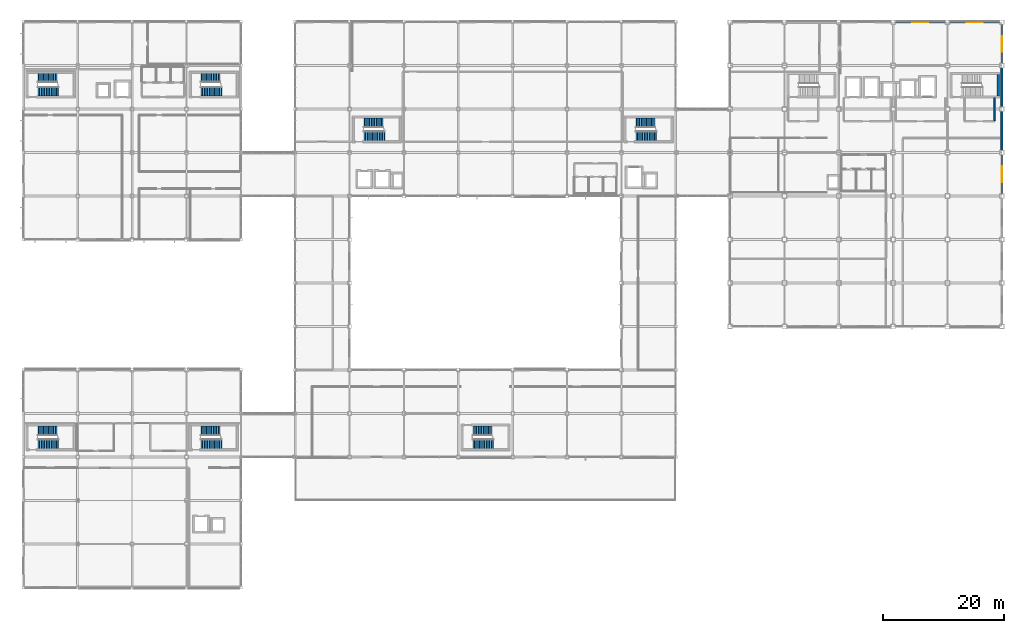
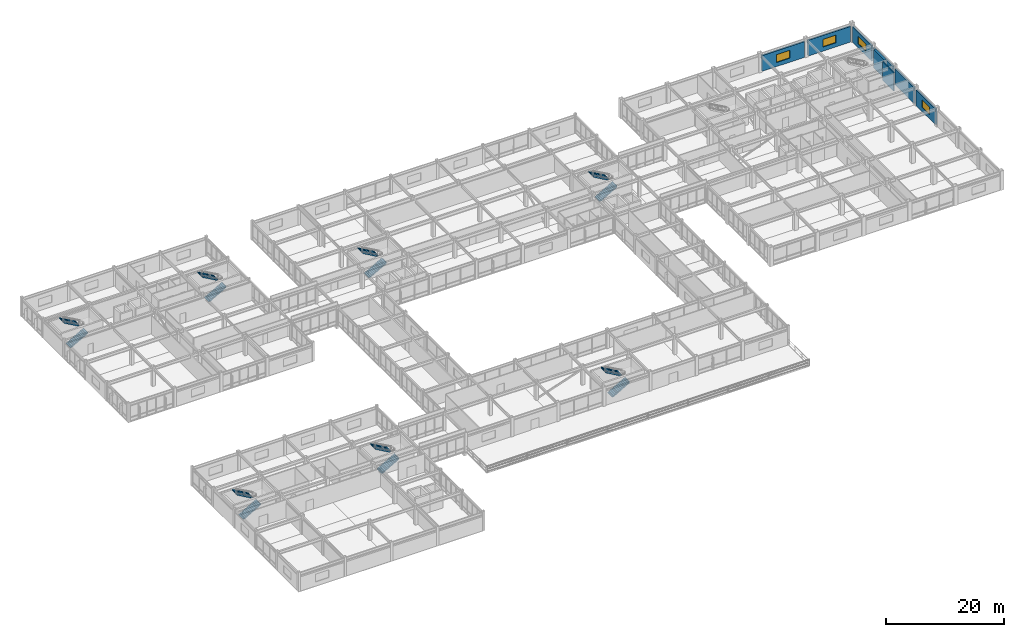
# One storey, part 106 of 122: 14 stair flights, 8 walls, 4 windows, 4 openings, 7 elements without a shape of their own.
"""IFC4 building model written with IfcOpenShell, lengths in metres."""

from ifc_helpers import new_model, si_unit, direction, frame, frame_2d, origin, place, context, subcontext, project, spatial, polyline, rectangle, outline, extrude, material, layer, layer_set, type_object, element, fill, aggregate, save


model = new_model("IFC4")

# Units and contexts
model_context = context("Model", 3, precision=1e-05, world=origin(), true_north=direction((0.0, 1.0)))
body_context = subcontext(model_context, "Body", "Model", "MODEL_VIEW")
ifc_project = project(units=[si_unit("LENGTHUNIT", "METRE"), si_unit("AREAUNIT", "SQUARE_METRE"), si_unit("VOLUMEUNIT", "CUBIC_METRE"), si_unit("PLANEANGLEUNIT", "RADIAN"), si_unit("MASSUNIT", "GRAM", prefix="KILO")], contexts=[model_context])

# Site, building, storey
site_placement = place(None, origin())
site = spatial("IfcSite", under=ifc_project, at=site_placement, CompositionType="ELEMENT")
building_placement = place(site_placement, origin())
building = spatial("IfcBuilding", under=site, at=building_placement, Name="Kazanami Central Library", CompositionType="ELEMENT")
storey_placement = place(building_placement, frame((0.0, 0.0, 4.800048828125)))
storey = spatial("IfcBuildingStorey", under=building, at=storey_placement, Name="L02", CompositionType="ELEMENT", Elevation=4.800048828125)

# Wall, opening, window
ifc_material_1 = material(Name="Concrete Fc36 (36 MPa)", Category="concrete")
ifc_layer_1 = layer(ifc_material_1, 0.219970703125, Name="Concrete Fc36 (36 MPa)")
ifc_material_2 = material(Name="Extruded Polystyrene XPS", Category="earth")
ifc_layer_2 = layer(ifc_material_2, 0.050048828125, Name="Extruded Polystyrene XPS")
ifc_material_3 = material(Name="Honed Inada Granite", Category="masonry")
ifc_layer_3 = layer(ifc_material_3, 0.030029296875, Name="Honed Inada Granite")
ifc_layer_set_1 = layer_set([ifc_layer_1, ifc_layer_2, ifc_layer_3], Name="Concrete Fc36 (36 MPa)")
wall_type_1 = type_object("IfcWallType", Name="WAL-EW-300", PredefinedType="STANDARD", material=ifc_layer_set_1)
wall_1_placement = place(storey_placement, frame((162.0, 71.64990234375, 0.0), z_axis=(0.0, 0.0, 1.0), x_axis=(0.0, -1.0, 0.0)))
wall_1 = element("IfcWall", 1, at=wall_1_placement, inside=storey, type_object=wall_type_1, Name="Exterior Facade Wall EW-300 L02 E-19-09", PredefinedType="STANDARD", context=body_context, shape_type="SweptSolid", body=[
    extrude(rectangle(XDim=6.5, YDim=0.300048828125, at=frame_2d((3.25, 0.0))), origin(), (0.0, 0.0, 1.0), 3.2548828125),
])
opening_1_placement = place(wall_1_placement, frame((1.949951171875, 0.0, 0.85009765625)))
opening_1 = element("IfcOpeningElement", 2, at=opening_1_placement, cuts=wall_1, Name="Opening WN-13", PredefinedType="OPENING", context=body_context, shape_type="SweptSolid", body=[
    extrude(rectangle(XDim=2.60009765625, YDim=1.60009765625, at=frame_2d((1.300048828125, 0.800048828125))), frame((0.0, 0.162109375, 0.0), z_axis=(0.0, -1.0, 0.0), x_axis=(1.0, 0.0, 0.0)), (0.0, 0.0, 1.0), 0.323974609375),
])
ifc_material_4 = material(Name="Low-E Insulated Triple Glass", Category="glass")
window_type = type_object("IfcWindowType", Name="WIN-WN-13", PartitioningType="DOUBLE_PANEL_VERTICAL", PredefinedType="WINDOW", material=ifc_material_4)
window_1_placement = place(opening_1_placement, origin())
window_1 = element("IfcWindow", 3, at=window_1_placement, inside=storey, type_object=window_type, Name="Facade Window WN-13 L02 E-19-09", OverallHeight=1.60009765625, OverallWidth=2.60009765625, PartitioningType="DOUBLE_PANEL_VERTICAL", PredefinedType="WINDOW", context=body_context, shape_type="SweptSolid", body=[
    extrude(rectangle(XDim=2.60009765625, YDim=1.60009765625, at=frame_2d((1.300048828125, 0.800048828125))), frame((0.0, 0.030029296875, 0.0), z_axis=(0.0, -1.0, 0.0), x_axis=(1.0, 0.0, 0.0)), (0.0, 0.0, 1.0), 0.06005859375),
])
fill(opening_1, window_1)

# Walls
for number, where, z_axis, x_axis, name in (
    (4, (162.0, 78.85009765625, 0.0), (0.0, 0.0, 1.0), (0.0, -1.0, 0.0), "Exterior Facade Wall EW-300 L02 E-19-10"),
    (5, (162.0, 86.050048828125, 0.0), (0.0, 0.0, 1.0), (0.0, -1.0, 0.0), "Exterior Facade Wall EW-300 L02 E-19-11"),
):
    element("IfcWall", number, at=place(storey_placement, frame(where, z_axis=z_axis, x_axis=x_axis)), inside=storey, type_object=wall_type_1, Name=name, PredefinedType="STANDARD", context=body_context, shape_type="SweptSolid", body=[
        extrude(rectangle(XDim=6.5, YDim=0.300048828125, at=frame_2d((3.25, 0.0))), origin(), (0.0, 0.0, 1.0), 3.2548828125),
    ])

# Wall, opening, window
wall_2_placement = place(storey_placement, frame((162.0, 93.25, 0.0), z_axis=(0.0, 0.0, 1.0), x_axis=(0.0, -1.0, 0.0)))
wall_2 = element("IfcWall", 6, at=wall_2_placement, inside=storey, type_object=wall_type_1, Name="Exterior Facade Wall EW-300 L02 E-19-12", PredefinedType="STANDARD", context=body_context, shape_type="SweptSolid", body=[
    extrude(rectangle(XDim=6.5, YDim=0.300048828125, at=frame_2d((3.25, 0.0))), origin(), (0.0, 0.0, 1.0), 3.2548828125),
])
opening_2_placement = place(wall_2_placement, frame((1.949951171875, 0.0, 0.85009765625)))
opening_2 = element("IfcOpeningElement", 7, at=opening_2_placement, cuts=wall_2, Name="Opening WN-13", PredefinedType="OPENING", context=body_context, shape_type="SweptSolid", body=[
    extrude(rectangle(XDim=2.60009765625, YDim=1.60009765625, at=frame_2d((1.300048828125, 0.800048828125))), frame((0.0, 0.162109375, 0.0), z_axis=(0.0, -1.0, 0.0), x_axis=(1.0, 0.0, 0.0)), (0.0, 0.0, 1.0), 0.323974609375),
])
window_2_placement = place(opening_2_placement, origin())
window_2 = element("IfcWindow", 8, at=window_2_placement, inside=storey, type_object=window_type, Name="Facade Window WN-13 L02 E-19-12", OverallHeight=1.60009765625, OverallWidth=2.60009765625, PartitioningType="DOUBLE_PANEL_VERTICAL", PredefinedType="WINDOW", context=body_context, shape_type="SweptSolid", body=[
    extrude(rectangle(XDim=2.60009765625, YDim=1.60009765625, at=frame_2d((1.300048828125, 0.800048828125))), frame((0.0, 0.030029296875, 0.0), z_axis=(0.0, -1.0, 0.0), x_axis=(1.0, 0.0, 0.0)), (0.0, 0.0, 1.0), 0.06005859375),
])
fill(opening_2, window_2)

ifc_layer_4 = layer(ifc_material_1, 0.239990234375, Name="Concrete Fc36 (36 MPa)")
ifc_layer_5 = layer(ifc_material_2, 0.050048828125, Name="Extruded Polystyrene XPS")
ifc_layer_6 = layer(ifc_material_3, 0.030029296875, Name="Honed Inada Granite")
ifc_layer_set_2 = layer_set([ifc_layer_4, ifc_layer_5, ifc_layer_6], Name="Concrete Fc36 (36 MPa)")
wall_type_2 = type_object("IfcWallType", Name="WAL-EW-320", PredefinedType="STANDARD", material=ifc_layer_set_2)
wall_3_placement = place(storey_placement, frame((152.64990234375, 93.60009765625, 0.0), z_axis=(0.0, 0.0, 1.0), x_axis=(-1.0, 0.0, 0.0)))
wall_3 = element("IfcWall", 9, at=wall_3_placement, inside=storey, type_object=wall_type_2, Name="Exterior Facade Wall EW-320 L02 N-O-16", PredefinedType="STANDARD", context=body_context, shape_type="SweptSolid", body=[
    extrude(rectangle(XDim=8.2998046875, YDim=0.320068359375, at=frame_2d((4.14990234375, 0.0))), origin(), (0.0, 0.0, 1.0), 3.2548828125),
])
opening_3_placement = place(wall_3_placement, frame((2.85009765625, 0.0, 0.85009765625)))
opening_3 = element("IfcOpeningElement", 10, at=opening_3_placement, cuts=wall_3, Name="Opening WN-13", PredefinedType="OPENING", context=body_context, shape_type="SweptSolid", body=[
    extrude(rectangle(XDim=2.60009765625, YDim=1.60009765625, at=frame_2d((1.300048828125, 0.800048828125))), frame((0.0, 0.171875, 0.0), z_axis=(0.0, -1.0, 0.0), x_axis=(1.0, 0.0, 0.0)), (0.0, 0.0, 1.0), 0.343994140625),
])
window_3_placement = place(opening_3_placement, origin())
window_3 = element("IfcWindow", 11, at=window_3_placement, inside=storey, type_object=window_type, Name="Facade Window WN-13 L02 N-O-16", OverallHeight=1.60009765625, OverallWidth=2.60009765625, PartitioningType="DOUBLE_PANEL_VERTICAL", PredefinedType="WINDOW", context=body_context, shape_type="SweptSolid", body=[
    extrude(rectangle(XDim=2.60009765625, YDim=1.60009765625, at=frame_2d((1.300048828125, 0.800048828125))), frame((0.0, 0.030029296875, 0.0), z_axis=(0.0, -1.0, 0.0), x_axis=(1.0, 0.0, 0.0)), (0.0, 0.0, 1.0), 0.06005859375),
])
fill(opening_3, window_3)

wall_4_placement = place(storey_placement, frame((161.64990234375, 93.60009765625, 0.0), z_axis=(0.0, 0.0, 1.0), x_axis=(-1.0, 0.0, 0.0)))
wall_4 = element("IfcWall", 12, at=wall_4_placement, inside=storey, type_object=wall_type_2, Name="Exterior Facade Wall EW-320 L02 N-O-17", PredefinedType="STANDARD", context=body_context, shape_type="SweptSolid", body=[
    extrude(rectangle(XDim=8.2998046875, YDim=0.320068359375, at=frame_2d((4.14990234375, 0.0))), origin(), (0.0, 0.0, 1.0), 3.2548828125),
])
opening_4_placement = place(wall_4_placement, frame((2.85009765625, 0.0, 0.85009765625)))
opening_4 = element("IfcOpeningElement", 13, at=opening_4_placement, cuts=wall_4, Name="Opening WN-13", PredefinedType="OPENING", context=body_context, shape_type="SweptSolid", body=[
    extrude(rectangle(XDim=2.60009765625, YDim=1.60009765625, at=frame_2d((1.300048828125, 0.800048828125))), frame((0.0, 0.171875, 0.0), z_axis=(0.0, -1.0, 0.0), x_axis=(1.0, 0.0, 0.0)), (0.0, 0.0, 1.0), 0.343994140625),
])
window_4_placement = place(opening_4_placement, origin())
window_4 = element("IfcWindow", 14, at=window_4_placement, inside=storey, type_object=window_type, Name="Facade Window WN-13 L02 N-O-17", OverallHeight=1.60009765625, OverallWidth=2.60009765625, PartitioningType="DOUBLE_PANEL_VERTICAL", PredefinedType="WINDOW", context=body_context, shape_type="SweptSolid", body=[
    extrude(rectangle(XDim=2.60009765625, YDim=1.60009765625, at=frame_2d((1.300048828125, 0.800048828125))), frame((0.0, 0.030029296875, 0.0), z_axis=(0.0, -1.0, 0.0), x_axis=(1.0, 0.0, 0.0)), (0.0, 0.0, 1.0), 0.06005859375),
])
fill(opening_4, window_4)

# Walls
ifc_material_5 = material(Name="Fire-Resistant Gypsum Board GB-F", Category="gypsum")
ifc_layer_7 = layer(ifc_material_5, 0.219970703125, Name="Fire-Resistant Gypsum Board GB-F")
ifc_layer_set_3 = layer_set([ifc_layer_7], Name="Fire-Resistant Gypsum Board GB-F")
wall_type_3 = type_object("IfcWallType", Name="WAL-FW-220", PredefinedType="PARTITIONING", material=ifc_layer_set_3)
wall_5_placement = place(storey_placement, frame((160.800048828125, 77.2900390625, 0.0), z_axis=(0.0, 0.0, 1.0), x_axis=(0.0, 1.0, 0.0)))
element("IfcWall", 15, at=wall_5_placement, inside=storey, type_object=wall_type_3, Name="Interior Partition FW-220 L02 VEST-ST-02 (East)", PredefinedType="PARTITIONING", context=body_context, shape_type="SweptSolid", body=[
    extrude(rectangle(XDim=3.820068359375, YDim=0.219970703125, at=frame_2d((1.91015625, 0.0))), origin(), (0.0, 0.0, 1.0), 3.7548828125),
])
ifc_layer_8 = layer(ifc_material_1, 0.35009765625, Name="Concrete Fc36 (36 MPa)")
ifc_layer_set_4 = layer_set([ifc_layer_8], Name="Concrete Fc36 (36 MPa)")
wall_type_4 = type_object("IfcWallType", Name="WAL-SW-350", PredefinedType="SHEAR", material=ifc_layer_set_4)
wall_6_placement = place(storey_placement, frame((161.39990234375, 81.375, 0.0), z_axis=(0.0, 0.0, 1.0), x_axis=(0.0, 1.0, 0.0)))
element("IfcWall", 16, at=wall_6_placement, inside=storey, type_object=wall_type_4, Name="Stair Core Wall ST-02 East L02", PredefinedType="SHEAR", context=body_context, shape_type="SweptSolid", body=[
    extrude(rectangle(XDim=3.550048828125, YDim=0.35009765625, at=frame_2d((1.77490234375, 0.0))), origin(), (0.0, 0.0, 1.0), 3.7548828125),
])

# Stair, stair flights
stair_type_1 = type_object("IfcStairType", Name="STR-P40", PredefinedType="HALF_TURN_STAIR", material=ifc_material_1)
stair_1_placement = place(storey_placement, origin())
stair_1 = element("IfcStair", 17, at=stair_1_placement, inside=storey, type_object=stair_type_1, Name="Enclosed Escape Stair ST-03 (L02)", PredefinedType="HALF_TURN_STAIR")
stair_flight_type_1 = type_object("IfcStairFlightType", Name="FLT-STR-P40", PredefinedType="STRAIGHT", material=ifc_material_1)
stair_flight_1_placement = place(storey_placement, frame((56.39404296875, 74.75, 0.0), z_axis=(0.0, 0.0, 1.0), x_axis=(1.0, 0.0, 0.0)))
stair_flight_1 = element("IfcStairFlight", 18, at=stair_flight_1_placement, type_object=stair_flight_type_1, Name="ST-03 flight 1", NumberOfRisers=13, NumberOfTreads=12, PredefinedType="STRAIGHT", RiserHeight=0.16, TreadLength=0.28, context=body_context, shape_type="SweptSolid", body=[
    extrude(outline(polyline([(0.0, 0.0), (0.0, 0.159912109375), (0.280029296875, 0.159912109375), (0.280029296875, 0.320068359375), (0.56005859375, 0.320068359375), (0.56005859375, 0.47998046875), (0.840087890625, 0.47998046875), (0.840087890625, 0.639892578125), (1.1201171875, 0.639892578125), (1.1201171875, 0.800048828125), (1.39990234375, 0.800048828125), (1.39990234375, 0.9599609375), (1.679931640625, 0.9599609375), (1.679931640625, 1.1201171875), (1.9599609375, 1.1201171875), (1.9599609375, 1.280029296875), (2.239990234375, 1.280029296875), (2.239990234375, 1.43994140625), (2.52001953125, 1.43994140625), (2.52001953125, 1.60009765625), (2.800048828125, 1.60009765625), (2.800048828125, 1.760009765625), (3.080078125, 1.760009765625), (3.080078125, 1.919921875), (3.360107421875, 1.919921875), (3.360107421875, 2.080078125), (3.440185546875, 2.080078125), (3.440185546875, 1.900146484375), (3.360107421875, 1.712646484375), (0.362548828125, 0.0), (0.0, 0.0)])), frame((0.0, 0.800048828125, 0.0), z_axis=(0.0, -1.0, 0.0), x_axis=(1.0, 0.0, 0.0)), (0.0, 0.0, 1.0), 1.60009765625),
])
stair_flight_2_placement = place(storey_placement, frame((59.553955078125, 76.949951171875, 2.079833984375), z_axis=(0.0, 0.0, 1.0), x_axis=(-1.0, 0.0, 0.0)))
stair_flight_2 = element("IfcStairFlight", 19, at=stair_flight_2_placement, type_object=stair_flight_type_1, Name="ST-03 flight 2", NumberOfRisers=12, NumberOfTreads=11, PredefinedType="STRAIGHT", RiserHeight=0.16, TreadLength=0.28, context=body_context, shape_type="SweptSolid", body=[
    extrude(outline(polyline([(0.0, 0.0), (0.0, 0.159912109375), (0.280029296875, 0.159912109375), (0.280029296875, 0.320068359375), (0.56005859375, 0.320068359375), (0.56005859375, 0.47998046875), (0.840087890625, 0.47998046875), (0.840087890625, 0.639892578125), (1.1201171875, 0.639892578125), (1.1201171875, 0.800048828125), (1.39990234375, 0.800048828125), (1.39990234375, 0.9599609375), (1.679931640625, 0.9599609375), (1.679931640625, 1.1201171875), (1.9599609375, 1.1201171875), (1.9599609375, 1.280029296875), (2.239990234375, 1.280029296875), (2.239990234375, 1.43994140625), (2.52001953125, 1.43994140625), (2.52001953125, 1.60009765625), (2.800048828125, 1.60009765625), (2.800048828125, 1.760009765625), (3.080078125, 1.760009765625), (3.080078125, 1.919921875), (3.16015625, 1.919921875), (3.16015625, 1.739990234375), (3.080078125, 1.552734375), (0.362548828125, 0.0), (0.0, 0.0)])), frame((0.0, 0.800048828125, 0.0), z_axis=(0.0, -1.0, 0.0), x_axis=(1.0, 0.0, 0.0)), (0.0, 0.0, 1.0), 1.60009765625),
])
aggregate(stair_1, [stair_flight_1, stair_flight_2])

stair_2_placement = place(storey_placement, origin())
stair_2 = element("IfcStair", 20, at=stair_2_placement, inside=storey, type_object=stair_type_1, Name="Enclosed Escape Stair ST-04 (L02)", PredefinedType="HALF_TURN_STAIR")
stair_flight_3_placement = place(storey_placement, frame((101.39404296875, 74.75, 0.0), z_axis=(0.0, 0.0, 1.0), x_axis=(1.0, 0.0, 0.0)))
stair_flight_3 = element("IfcStairFlight", 21, at=stair_flight_3_placement, type_object=stair_flight_type_1, Name="ST-04 flight 1", NumberOfRisers=13, NumberOfTreads=12, PredefinedType="STRAIGHT", RiserHeight=0.16, TreadLength=0.28, context=body_context, shape_type="SweptSolid", body=[
    extrude(outline(polyline([(0.0, 0.0), (0.0, 0.159912109375), (0.280029296875, 0.159912109375), (0.280029296875, 0.320068359375), (0.56005859375, 0.320068359375), (0.56005859375, 0.47998046875), (0.840087890625, 0.47998046875), (0.840087890625, 0.639892578125), (1.1201171875, 0.639892578125), (1.1201171875, 0.800048828125), (1.39990234375, 0.800048828125), (1.39990234375, 0.9599609375), (1.679931640625, 0.9599609375), (1.679931640625, 1.1201171875), (1.9599609375, 1.1201171875), (1.9599609375, 1.280029296875), (2.239990234375, 1.280029296875), (2.239990234375, 1.43994140625), (2.52001953125, 1.43994140625), (2.52001953125, 1.60009765625), (2.800048828125, 1.60009765625), (2.800048828125, 1.760009765625), (3.080078125, 1.760009765625), (3.080078125, 1.919921875), (3.360107421875, 1.919921875), (3.360107421875, 2.080078125), (3.440185546875, 2.080078125), (3.440185546875, 1.900146484375), (3.360107421875, 1.712646484375), (0.362548828125, 0.0), (0.0, 0.0)])), frame((0.0, 0.800048828125, 0.0), z_axis=(0.0, -1.0, 0.0), x_axis=(1.0, 0.0, 0.0)), (0.0, 0.0, 1.0), 1.60009765625),
])
stair_flight_4_placement = place(storey_placement, frame((104.553955078125, 76.949951171875, 2.079833984375), z_axis=(0.0, 0.0, 1.0), x_axis=(-1.0, 0.0, 0.0)))
stair_flight_4 = element("IfcStairFlight", 22, at=stair_flight_4_placement, type_object=stair_flight_type_1, Name="ST-04 flight 2", NumberOfRisers=12, NumberOfTreads=11, PredefinedType="STRAIGHT", RiserHeight=0.16, TreadLength=0.28, context=body_context, shape_type="SweptSolid", body=[
    extrude(outline(polyline([(0.0, 0.0), (0.0, 0.159912109375), (0.280029296875, 0.159912109375), (0.280029296875, 0.320068359375), (0.56005859375, 0.320068359375), (0.56005859375, 0.47998046875), (0.840087890625, 0.47998046875), (0.840087890625, 0.639892578125), (1.1201171875, 0.639892578125), (1.1201171875, 0.800048828125), (1.39990234375, 0.800048828125), (1.39990234375, 0.9599609375), (1.679931640625, 0.9599609375), (1.679931640625, 1.1201171875), (1.9599609375, 1.1201171875), (1.9599609375, 1.280029296875), (2.239990234375, 1.280029296875), (2.239990234375, 1.43994140625), (2.52001953125, 1.43994140625), (2.52001953125, 1.60009765625), (2.800048828125, 1.60009765625), (2.800048828125, 1.760009765625), (3.080078125, 1.760009765625), (3.080078125, 1.919921875), (3.16015625, 1.919921875), (3.16015625, 1.739990234375), (3.080078125, 1.552734375), (0.362548828125, 0.0), (0.0, 0.0)])), frame((0.0, 0.800048828125, 0.0), z_axis=(0.0, -1.0, 0.0), x_axis=(1.0, 0.0, 0.0)), (0.0, 0.0, 1.0), 1.60009765625),
])
aggregate(stair_2, [stair_flight_3, stair_flight_4])

stair_3_placement = place(storey_placement, origin())
stair_3 = element("IfcStair", 23, at=stair_3_placement, inside=storey, type_object=stair_type_1, Name="Enclosed Escape Stair ST-07 (L02)", PredefinedType="HALF_TURN_STAIR")
stair_flight_5_placement = place(storey_placement, frame((2.39404296875, 23.75, 0.0), z_axis=(0.0, 0.0, 1.0), x_axis=(1.0, 0.0, 0.0)))
stair_flight_5 = element("IfcStairFlight", 24, at=stair_flight_5_placement, type_object=stair_flight_type_1, Name="ST-07 flight 1", NumberOfRisers=13, NumberOfTreads=12, PredefinedType="STRAIGHT", RiserHeight=0.16, TreadLength=0.28, context=body_context, shape_type="SweptSolid", body=[
    extrude(outline(polyline([(0.0, 0.0), (0.0, 0.159912109375), (0.280029296875, 0.159912109375), (0.280029296875, 0.320068359375), (0.56005859375, 0.320068359375), (0.56005859375, 0.47998046875), (0.840087890625, 0.47998046875), (0.840087890625, 0.639892578125), (1.1201171875, 0.639892578125), (1.1201171875, 0.800048828125), (1.39990234375, 0.800048828125), (1.39990234375, 0.9599609375), (1.679931640625, 0.9599609375), (1.679931640625, 1.1201171875), (1.9599609375, 1.1201171875), (1.9599609375, 1.280029296875), (2.239990234375, 1.280029296875), (2.239990234375, 1.43994140625), (2.52001953125, 1.43994140625), (2.52001953125, 1.60009765625), (2.800048828125, 1.60009765625), (2.800048828125, 1.760009765625), (3.080078125, 1.760009765625), (3.080078125, 1.919921875), (3.360107421875, 1.919921875), (3.360107421875, 2.080078125), (3.440185546875, 2.080078125), (3.440185546875, 1.900146484375), (3.360107421875, 1.712646484375), (0.362548828125, 0.0), (0.0, 0.0)])), frame((0.0, 0.800048828125, 0.0), z_axis=(0.0, -1.0, 0.0), x_axis=(1.0, 0.0, 0.0)), (0.0, 0.0, 1.0), 1.60009765625),
])
stair_flight_6_placement = place(storey_placement, frame((5.553955078125, 25.949951171875, 2.079833984375), z_axis=(0.0, 0.0, 1.0), x_axis=(-1.0, 0.0, 0.0)))
stair_flight_6 = element("IfcStairFlight", 25, at=stair_flight_6_placement, type_object=stair_flight_type_1, Name="ST-07 flight 2", NumberOfRisers=12, NumberOfTreads=11, PredefinedType="STRAIGHT", RiserHeight=0.16, TreadLength=0.28, context=body_context, shape_type="SweptSolid", body=[
    extrude(outline(polyline([(0.0, 0.0), (0.0, 0.159912109375), (0.280029296875, 0.159912109375), (0.280029296875, 0.320068359375), (0.56005859375, 0.320068359375), (0.56005859375, 0.47998046875), (0.840087890625, 0.47998046875), (0.840087890625, 0.639892578125), (1.1201171875, 0.639892578125), (1.1201171875, 0.800048828125), (1.39990234375, 0.800048828125), (1.39990234375, 0.9599609375), (1.679931640625, 0.9599609375), (1.679931640625, 1.1201171875), (1.9599609375, 1.1201171875), (1.9599609375, 1.280029296875), (2.239990234375, 1.280029296875), (2.239990234375, 1.43994140625), (2.52001953125, 1.43994140625), (2.52001953125, 1.60009765625), (2.800048828125, 1.60009765625), (2.800048828125, 1.760009765625), (3.080078125, 1.760009765625), (3.080078125, 1.919921875), (3.16015625, 1.919921875), (3.16015625, 1.739990234375), (3.080078125, 1.552734375), (0.362548828125, 0.0), (0.0, 0.0)])), frame((0.0, 0.800048828125, 0.0), z_axis=(0.0, -1.0, 0.0), x_axis=(1.0, 0.0, 0.0)), (0.0, 0.0, 1.0), 1.60009765625),
])
aggregate(stair_3, [stair_flight_5, stair_flight_6])

stair_4_placement = place(storey_placement, origin())
stair_4 = element("IfcStair", 26, at=stair_4_placement, inside=storey, type_object=stair_type_1, Name="Enclosed Escape Stair ST-08 (L02)", PredefinedType="HALF_TURN_STAIR")
stair_flight_7_placement = place(storey_placement, frame((29.39404296875, 23.75, 0.0), z_axis=(0.0, 0.0, 1.0), x_axis=(1.0, 0.0, 0.0)))
stair_flight_7 = element("IfcStairFlight", 27, at=stair_flight_7_placement, type_object=stair_flight_type_1, Name="ST-08 flight 1", NumberOfRisers=13, NumberOfTreads=12, PredefinedType="STRAIGHT", RiserHeight=0.16, TreadLength=0.28, context=body_context, shape_type="SweptSolid", body=[
    extrude(outline(polyline([(0.0, 0.0), (0.0, 0.159912109375), (0.280029296875, 0.159912109375), (0.280029296875, 0.320068359375), (0.56005859375, 0.320068359375), (0.56005859375, 0.47998046875), (0.840087890625, 0.47998046875), (0.840087890625, 0.639892578125), (1.1201171875, 0.639892578125), (1.1201171875, 0.800048828125), (1.39990234375, 0.800048828125), (1.39990234375, 0.9599609375), (1.679931640625, 0.9599609375), (1.679931640625, 1.1201171875), (1.9599609375, 1.1201171875), (1.9599609375, 1.280029296875), (2.239990234375, 1.280029296875), (2.239990234375, 1.43994140625), (2.52001953125, 1.43994140625), (2.52001953125, 1.60009765625), (2.800048828125, 1.60009765625), (2.800048828125, 1.760009765625), (3.080078125, 1.760009765625), (3.080078125, 1.919921875), (3.360107421875, 1.919921875), (3.360107421875, 2.080078125), (3.440185546875, 2.080078125), (3.440185546875, 1.900146484375), (3.360107421875, 1.712646484375), (0.362548828125, 0.0), (0.0, 0.0)])), frame((0.0, 0.800048828125, 0.0), z_axis=(0.0, -1.0, 0.0), x_axis=(1.0, 0.0, 0.0)), (0.0, 0.0, 1.0), 1.60009765625),
])
stair_flight_8_placement = place(storey_placement, frame((32.553955078125, 25.949951171875, 2.079833984375), z_axis=(0.0, 0.0, 1.0), x_axis=(-1.0, 0.0, 0.0)))
stair_flight_8 = element("IfcStairFlight", 28, at=stair_flight_8_placement, type_object=stair_flight_type_1, Name="ST-08 flight 2", NumberOfRisers=12, NumberOfTreads=11, PredefinedType="STRAIGHT", RiserHeight=0.16, TreadLength=0.28, context=body_context, shape_type="SweptSolid", body=[
    extrude(outline(polyline([(0.0, 0.0), (0.0, 0.159912109375), (0.280029296875, 0.159912109375), (0.280029296875, 0.320068359375), (0.56005859375, 0.320068359375), (0.56005859375, 0.47998046875), (0.840087890625, 0.47998046875), (0.840087890625, 0.639892578125), (1.1201171875, 0.639892578125), (1.1201171875, 0.800048828125), (1.39990234375, 0.800048828125), (1.39990234375, 0.9599609375), (1.679931640625, 0.9599609375), (1.679931640625, 1.1201171875), (1.9599609375, 1.1201171875), (1.9599609375, 1.280029296875), (2.239990234375, 1.280029296875), (2.239990234375, 1.43994140625), (2.52001953125, 1.43994140625), (2.52001953125, 1.60009765625), (2.800048828125, 1.60009765625), (2.800048828125, 1.760009765625), (3.080078125, 1.760009765625), (3.080078125, 1.919921875), (3.16015625, 1.919921875), (3.16015625, 1.739990234375), (3.080078125, 1.552734375), (0.362548828125, 0.0), (0.0, 0.0)])), frame((0.0, 0.800048828125, 0.0), z_axis=(0.0, -1.0, 0.0), x_axis=(1.0, 0.0, 0.0)), (0.0, 0.0, 1.0), 1.60009765625),
])
aggregate(stair_4, [stair_flight_7, stair_flight_8])

stair_5_placement = place(storey_placement, origin())
stair_5 = element("IfcStair", 29, at=stair_5_placement, inside=storey, type_object=stair_type_1, Name="Enclosed Escape Stair ST-09 (L02)", PredefinedType="HALF_TURN_STAIR")
stair_flight_9_placement = place(storey_placement, frame((74.39404296875, 23.75, 0.0), z_axis=(0.0, 0.0, 1.0), x_axis=(1.0, 0.0, 0.0)))
stair_flight_9 = element("IfcStairFlight", 30, at=stair_flight_9_placement, type_object=stair_flight_type_1, Name="ST-09 flight 1", NumberOfRisers=13, NumberOfTreads=12, PredefinedType="STRAIGHT", RiserHeight=0.16, TreadLength=0.28, context=body_context, shape_type="SweptSolid", body=[
    extrude(outline(polyline([(0.0, 0.0), (0.0, 0.159912109375), (0.280029296875, 0.159912109375), (0.280029296875, 0.320068359375), (0.56005859375, 0.320068359375), (0.56005859375, 0.47998046875), (0.840087890625, 0.47998046875), (0.840087890625, 0.639892578125), (1.1201171875, 0.639892578125), (1.1201171875, 0.800048828125), (1.39990234375, 0.800048828125), (1.39990234375, 0.9599609375), (1.679931640625, 0.9599609375), (1.679931640625, 1.1201171875), (1.9599609375, 1.1201171875), (1.9599609375, 1.280029296875), (2.239990234375, 1.280029296875), (2.239990234375, 1.43994140625), (2.52001953125, 1.43994140625), (2.52001953125, 1.60009765625), (2.800048828125, 1.60009765625), (2.800048828125, 1.760009765625), (3.080078125, 1.760009765625), (3.080078125, 1.919921875), (3.360107421875, 1.919921875), (3.360107421875, 2.080078125), (3.440185546875, 2.080078125), (3.440185546875, 1.900146484375), (3.360107421875, 1.712646484375), (0.362548828125, 0.0), (0.0, 0.0)])), frame((0.0, 0.800048828125, 0.0), z_axis=(0.0, -1.0, 0.0), x_axis=(1.0, 0.0, 0.0)), (0.0, 0.0, 1.0), 1.60009765625),
])
stair_flight_10_placement = place(storey_placement, frame((77.553955078125, 25.949951171875, 2.079833984375), z_axis=(0.0, 0.0, 1.0), x_axis=(-1.0, 0.0, 0.0)))
stair_flight_10 = element("IfcStairFlight", 31, at=stair_flight_10_placement, type_object=stair_flight_type_1, Name="ST-09 flight 2", NumberOfRisers=12, NumberOfTreads=11, PredefinedType="STRAIGHT", RiserHeight=0.16, TreadLength=0.28, context=body_context, shape_type="SweptSolid", body=[
    extrude(outline(polyline([(0.0, 0.0), (0.0, 0.159912109375), (0.280029296875, 0.159912109375), (0.280029296875, 0.320068359375), (0.56005859375, 0.320068359375), (0.56005859375, 0.47998046875), (0.840087890625, 0.47998046875), (0.840087890625, 0.639892578125), (1.1201171875, 0.639892578125), (1.1201171875, 0.800048828125), (1.39990234375, 0.800048828125), (1.39990234375, 0.9599609375), (1.679931640625, 0.9599609375), (1.679931640625, 1.1201171875), (1.9599609375, 1.1201171875), (1.9599609375, 1.280029296875), (2.239990234375, 1.280029296875), (2.239990234375, 1.43994140625), (2.52001953125, 1.43994140625), (2.52001953125, 1.60009765625), (2.800048828125, 1.60009765625), (2.800048828125, 1.760009765625), (3.080078125, 1.760009765625), (3.080078125, 1.919921875), (3.16015625, 1.919921875), (3.16015625, 1.739990234375), (3.080078125, 1.552734375), (0.362548828125, 0.0), (0.0, 0.0)])), frame((0.0, 0.800048828125, 0.0), z_axis=(0.0, -1.0, 0.0), x_axis=(1.0, 0.0, 0.0)), (0.0, 0.0, 1.0), 1.60009765625),
])
aggregate(stair_5, [stair_flight_9, stair_flight_10])

stair_type_2 = type_object("IfcStairType", Name="STR-T40", PredefinedType="HALF_TURN_STAIR", material=ifc_material_1)
stair_6_placement = place(storey_placement, origin())
stair_6 = element("IfcStair", 32, at=stair_6_placement, inside=storey, type_object=stair_type_2, Name="Enclosed Escape Stair ST-05 (L02)", PredefinedType="HALF_TURN_STAIR")
stair_flight_type_2 = type_object("IfcStairFlightType", Name="FLT-STR-T40", PredefinedType="STRAIGHT", material=ifc_material_1)
stair_flight_11_placement = place(storey_placement, frame((2.39404296875, 82.10009765625, 0.0), z_axis=(0.0, 0.0, 1.0), x_axis=(1.0, 0.0, 0.0)))
stair_flight_11 = element("IfcStairFlight", 33, at=stair_flight_11_placement, type_object=stair_flight_type_2, Name="ST-05 flight 1", NumberOfRisers=13, NumberOfTreads=12, PredefinedType="STRAIGHT", RiserHeight=0.16, TreadLength=0.28, context=body_context, shape_type="SweptSolid", body=[
    extrude(outline(polyline([(0.0, 0.0), (0.0, 0.159912109375), (0.280029296875, 0.159912109375), (0.280029296875, 0.320068359375), (0.56005859375, 0.320068359375), (0.56005859375, 0.47998046875), (0.840087890625, 0.47998046875), (0.840087890625, 0.639892578125), (1.1201171875, 0.639892578125), (1.1201171875, 0.800048828125), (1.39990234375, 0.800048828125), (1.39990234375, 0.9599609375), (1.679931640625, 0.9599609375), (1.679931640625, 1.1201171875), (1.9599609375, 1.1201171875), (1.9599609375, 1.280029296875), (2.239990234375, 1.280029296875), (2.239990234375, 1.43994140625), (2.52001953125, 1.43994140625), (2.52001953125, 1.60009765625), (2.800048828125, 1.60009765625), (2.800048828125, 1.760009765625), (3.080078125, 1.760009765625), (3.080078125, 1.919921875), (3.360107421875, 1.919921875), (3.360107421875, 2.080078125), (3.440185546875, 2.080078125), (3.440185546875, 1.900146484375), (3.360107421875, 1.712646484375), (0.362548828125, 0.0), (0.0, 0.0)])), frame((0.0, 0.75, 0.0), z_axis=(0.0, -1.0, 0.0), x_axis=(1.0, 0.0, 0.0)), (0.0, 0.0, 1.0), 1.5),
])
stair_flight_12_placement = place(storey_placement, frame((5.553955078125, 84.39990234375, 2.079833984375), z_axis=(0.0, 0.0, 1.0), x_axis=(-1.0, 0.0, 0.0)))
stair_flight_12 = element("IfcStairFlight", 34, at=stair_flight_12_placement, type_object=stair_flight_type_2, Name="ST-05 flight 2", NumberOfRisers=12, NumberOfTreads=11, PredefinedType="STRAIGHT", RiserHeight=0.16, TreadLength=0.28, context=body_context, shape_type="SweptSolid", body=[
    extrude(outline(polyline([(0.0, 0.0), (0.0, 0.159912109375), (0.280029296875, 0.159912109375), (0.280029296875, 0.320068359375), (0.56005859375, 0.320068359375), (0.56005859375, 0.47998046875), (0.840087890625, 0.47998046875), (0.840087890625, 0.639892578125), (1.1201171875, 0.639892578125), (1.1201171875, 0.800048828125), (1.39990234375, 0.800048828125), (1.39990234375, 0.9599609375), (1.679931640625, 0.9599609375), (1.679931640625, 1.1201171875), (1.9599609375, 1.1201171875), (1.9599609375, 1.280029296875), (2.239990234375, 1.280029296875), (2.239990234375, 1.43994140625), (2.52001953125, 1.43994140625), (2.52001953125, 1.60009765625), (2.800048828125, 1.60009765625), (2.800048828125, 1.760009765625), (3.080078125, 1.760009765625), (3.080078125, 1.919921875), (3.16015625, 1.919921875), (3.16015625, 1.739990234375), (3.080078125, 1.552734375), (0.362548828125, 0.0), (0.0, 0.0)])), frame((0.0, 0.75, 0.0), z_axis=(0.0, -1.0, 0.0), x_axis=(1.0, 0.0, 0.0)), (0.0, 0.0, 1.0), 1.5),
])
aggregate(stair_6, [stair_flight_11, stair_flight_12])

stair_7_placement = place(storey_placement, origin())
stair_7 = element("IfcStair", 35, at=stair_7_placement, inside=storey, type_object=stair_type_2, Name="Enclosed Escape Stair ST-06 (L02)", PredefinedType="HALF_TURN_STAIR")
stair_flight_13_placement = place(storey_placement, frame((29.39404296875, 82.10009765625, 0.0), z_axis=(0.0, 0.0, 1.0), x_axis=(1.0, 0.0, 0.0)))
stair_flight_13 = element("IfcStairFlight", 36, at=stair_flight_13_placement, type_object=stair_flight_type_2, Name="ST-06 flight 1", NumberOfRisers=13, NumberOfTreads=12, PredefinedType="STRAIGHT", RiserHeight=0.16, TreadLength=0.28, context=body_context, shape_type="SweptSolid", body=[
    extrude(outline(polyline([(0.0, 0.0), (0.0, 0.159912109375), (0.280029296875, 0.159912109375), (0.280029296875, 0.320068359375), (0.56005859375, 0.320068359375), (0.56005859375, 0.47998046875), (0.840087890625, 0.47998046875), (0.840087890625, 0.639892578125), (1.1201171875, 0.639892578125), (1.1201171875, 0.800048828125), (1.39990234375, 0.800048828125), (1.39990234375, 0.9599609375), (1.679931640625, 0.9599609375), (1.679931640625, 1.1201171875), (1.9599609375, 1.1201171875), (1.9599609375, 1.280029296875), (2.239990234375, 1.280029296875), (2.239990234375, 1.43994140625), (2.52001953125, 1.43994140625), (2.52001953125, 1.60009765625), (2.800048828125, 1.60009765625), (2.800048828125, 1.760009765625), (3.080078125, 1.760009765625), (3.080078125, 1.919921875), (3.360107421875, 1.919921875), (3.360107421875, 2.080078125), (3.440185546875, 2.080078125), (3.440185546875, 1.900146484375), (3.360107421875, 1.712646484375), (0.362548828125, 0.0), (0.0, 0.0)])), frame((0.0, 0.75, 0.0), z_axis=(0.0, -1.0, 0.0), x_axis=(1.0, 0.0, 0.0)), (0.0, 0.0, 1.0), 1.5),
])
stair_flight_14_placement = place(storey_placement, frame((32.553955078125, 84.39990234375, 2.079833984375), z_axis=(0.0, 0.0, 1.0), x_axis=(-1.0, 0.0, 0.0)))
stair_flight_14 = element("IfcStairFlight", 37, at=stair_flight_14_placement, type_object=stair_flight_type_2, Name="ST-06 flight 2", NumberOfRisers=12, NumberOfTreads=11, PredefinedType="STRAIGHT", RiserHeight=0.16, TreadLength=0.28, context=body_context, shape_type="SweptSolid", body=[
    extrude(outline(polyline([(0.0, 0.0), (0.0, 0.159912109375), (0.280029296875, 0.159912109375), (0.280029296875, 0.320068359375), (0.56005859375, 0.320068359375), (0.56005859375, 0.47998046875), (0.840087890625, 0.47998046875), (0.840087890625, 0.639892578125), (1.1201171875, 0.639892578125), (1.1201171875, 0.800048828125), (1.39990234375, 0.800048828125), (1.39990234375, 0.9599609375), (1.679931640625, 0.9599609375), (1.679931640625, 1.1201171875), (1.9599609375, 1.1201171875), (1.9599609375, 1.280029296875), (2.239990234375, 1.280029296875), (2.239990234375, 1.43994140625), (2.52001953125, 1.43994140625), (2.52001953125, 1.60009765625), (2.800048828125, 1.60009765625), (2.800048828125, 1.760009765625), (3.080078125, 1.760009765625), (3.080078125, 1.919921875), (3.16015625, 1.919921875), (3.16015625, 1.739990234375), (3.080078125, 1.552734375), (0.362548828125, 0.0), (0.0, 0.0)])), frame((0.0, 0.75, 0.0), z_axis=(0.0, -1.0, 0.0), x_axis=(1.0, 0.0, 0.0)), (0.0, 0.0, 1.0), 1.5),
])
aggregate(stair_7, [stair_flight_13, stair_flight_14])

save(model, "model.ifc")
